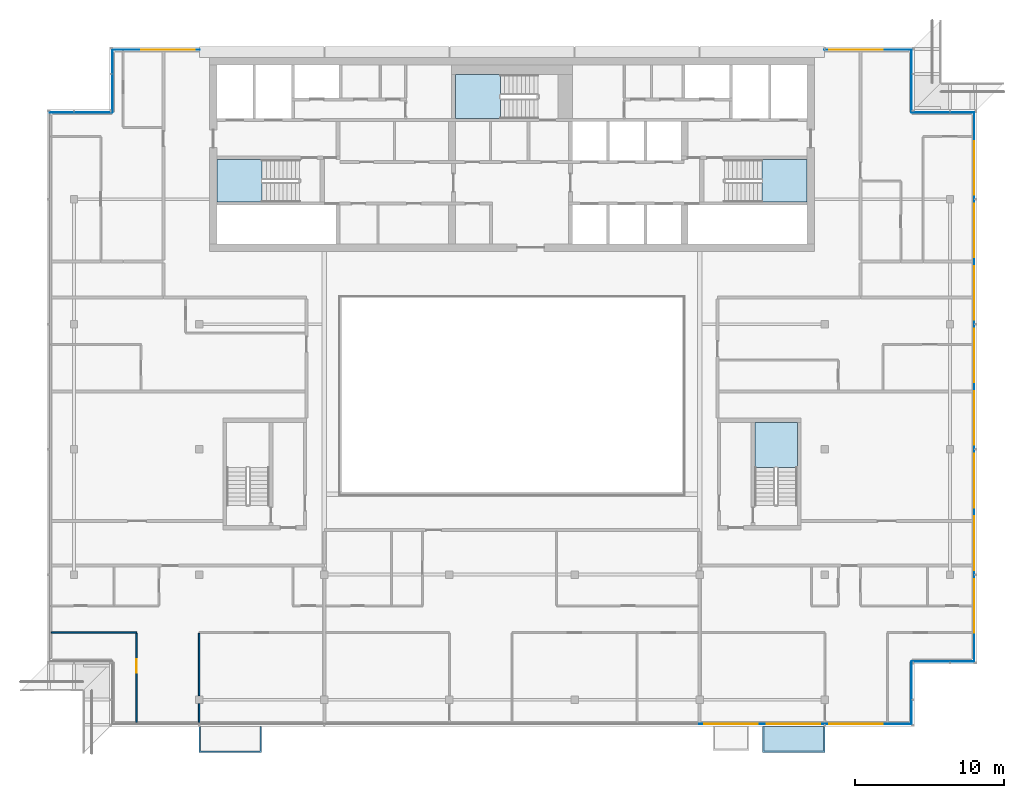
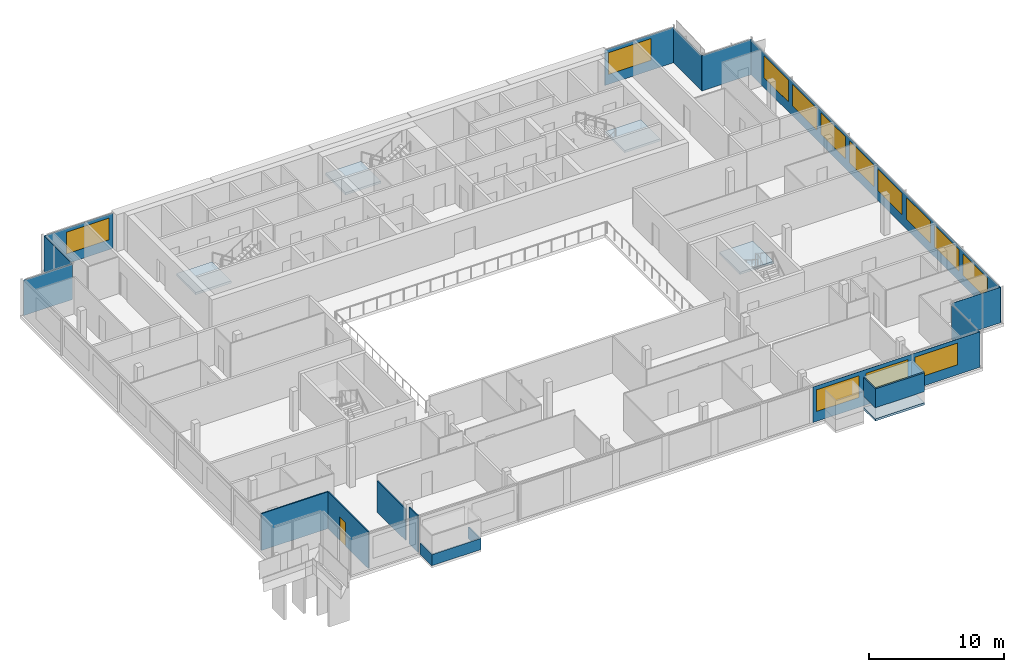
# One storey, part 15 of 24: 13 windows, 12 plates, 5 slabs, 5 walls, 1 door, 14 openings, 13 elements without a shape of their own.
"""IFC4 building model written with IfcOpenShell, lengths in metres."""

from ifc_helpers import new_model, si_unit, direction, frame, frame_2d, origin, place, context, subcontext, project, spatial, polyline, rectangle, outline, extrude, material, layer, layer_set, type_object, element, fill, aggregate, save


model = new_model("IFC4")

# Units and contexts
model_context = context("Model", 3, precision=1e-05, world=origin(), true_north=direction((0.0, 1.0)))
body_context = subcontext(model_context, "Body", "Model", "MODEL_VIEW")
ifc_project = project(units=[si_unit("LENGTHUNIT", "METRE"), si_unit("AREAUNIT", "SQUARE_METRE"), si_unit("VOLUMEUNIT", "CUBIC_METRE"), si_unit("PLANEANGLEUNIT", "RADIAN"), si_unit("MASSUNIT", "GRAM", prefix="KILO")], contexts=[model_context])

# Site, building, storey
site_placement = place(None, origin())
site = spatial("IfcSite", under=ifc_project, at=site_placement, CompositionType="ELEMENT")
building_placement = place(site_placement, origin())
building = spatial("IfcBuilding", under=site, at=building_placement, Name="Saffron Gate Tower", CompositionType="ELEMENT")
storey_placement = place(building_placement, frame((0.0, 0.0, 281.550048828125)))
storey = spatial("IfcBuildingStorey", under=building, at=storey_placement, Name="L68", CompositionType="ELEMENT", Elevation=281.550048828125)

# Curtain wall, plate, openings, windows
ifc_material_1 = material(Name="Aluminium, bronze anodised", Category="aluminium")
curtain_wall_type_1 = type_object("IfcCurtainWallType", Name="CWS1 curtain wall front facade", PredefinedType="NOTDEFINED", material=ifc_material_1)
curtain_wall_1_placement = place(storey_placement, origin())
curtain_wall_1 = element("IfcCurtainWall", 1, at=curtain_wall_1_placement, inside=storey, type_object=curtain_wall_type_1, Name="CWS1 run 1", PredefinedType="NOTDEFINED")
ifc_material_2 = material(Name="Fritted bronze-tinted laminated glass", Category="glass")
ifc_layer_1 = layer(ifc_material_2, 0.028076171875)
ifc_layer_set_1 = layer_set([ifc_layer_1], Name="CWS1 fixed glass")
plate_type_1 = type_object("IfcPlateType", Name="CWS1 fixed glass", PredefinedType="CURTAIN_PANEL", material=ifc_layer_set_1)
plate_1_placement = place(storey_placement, frame((100.169921875, 30.174072265625, 0.0), z_axis=(0.0, 0.0, 1.0), x_axis=(1.0, 0.0, 0.0)))
plate_1 = element("IfcPlate", 2, at=plate_1_placement, type_object=plate_type_1, Name="CWS1 glass panel", PredefinedType="CURTAIN_PANEL", context=body_context, shape_type="SweptSolid", body=[
    extrude(rectangle(XDim=14.2421875, YDim=0.028076171875, at=frame_2d((7.12109375, 0.0))), origin(), (0.0, 0.0, 1.0), 3.199951171875),
])
opening_1_placement = place(plate_1_placement, frame((0.330078125, 0.0, 0.89990234375)))
opening_1 = element("IfcOpeningElement", 3, at=opening_1_placement, cuts=plate_1, Name="Opening W1", PredefinedType="OPENING", context=body_context, shape_type="SweptSolid", body=[
    extrude(rectangle(XDim=3.60009765625, YDim=1.949951171875, at=frame_2d((1.800048828125, 0.97509765625))), frame((0.0, 0.02392578125, 0.0), z_axis=(0.0, -1.0, 0.0), x_axis=(1.0, 0.0, 0.0)), (0.0, 0.0, 1.0), 0.048095703125),
])
opening_2_placement = place(plate_1_placement, frame((4.530029296875, 0.0, 0.89990234375)))
opening_2 = element("IfcOpeningElement", 4, at=opening_2_placement, cuts=plate_1, Name="Opening W1", PredefinedType="OPENING", context=body_context, shape_type="SweptSolid", body=[
    extrude(rectangle(XDim=3.60009765625, YDim=1.949951171875, at=frame_2d((1.800048828125, 0.97509765625))), frame((0.0, 0.02392578125, 0.0), z_axis=(0.0, -1.0, 0.0), x_axis=(1.0, 0.0, 0.0)), (0.0, 0.0, 1.0), 0.048095703125),
])
opening_3_placement = place(plate_1_placement, frame((8.72998046875, 0.0, 0.89990234375)))
opening_3 = element("IfcOpeningElement", 5, at=opening_3_placement, cuts=plate_1, Name="Opening W1", PredefinedType="OPENING", context=body_context, shape_type="SweptSolid", body=[
    extrude(rectangle(XDim=3.60009765625, YDim=1.949951171875, at=frame_2d((1.800048828125, 0.97509765625))), frame((0.0, 0.02392578125, 0.0), z_axis=(0.0, -1.0, 0.0), x_axis=(1.0, 0.0, 0.0)), (0.0, 0.0, 1.0), 0.048095703125),
])
ifc_material_3 = material(Name="Fritted bronze-tinted laminated glass in bronze frame", Category="glass")
ifc_layer_2 = layer(ifc_material_3, 0.06005859375)
ifc_layer_set_2 = layer_set([ifc_layer_2], Name="W1 operable panel 3600x1950")
window_type = type_object("IfcWindowType", Name="W1 operable panel 3600x1950", PartitioningType="DOUBLE_PANEL_HORIZONTAL", PredefinedType="WINDOW", material=ifc_layer_set_2)
window_1_placement = place(opening_1_placement, origin())
window_1 = element("IfcWindow", 6, at=window_1_placement, type_object=window_type, Name="W1 operable panel", OverallHeight=1.949951171875, OverallWidth=3.60009765625, PartitioningType="SINGLE_PANEL", PredefinedType="WINDOW", context=body_context, shape_type="SweptSolid", body=[
    extrude(rectangle(XDim=3.60009765625, YDim=1.949951171875, at=frame_2d((1.800048828125, 0.97509765625))), frame((0.0, 0.013671875, 0.0), z_axis=(0.0, -1.0, 0.0), x_axis=(1.0, 0.0, 0.0)), (0.0, 0.0, 1.0), 0.027587890625),
])
fill(opening_1, window_1)
window_2_placement = place(opening_2_placement, origin())
window_2 = element("IfcWindow", 7, at=window_2_placement, type_object=window_type, Name="W1 operable panel", OverallHeight=1.949951171875, OverallWidth=3.60009765625, PartitioningType="SINGLE_PANEL", PredefinedType="WINDOW", context=body_context, shape_type="SweptSolid", body=[
    extrude(rectangle(XDim=3.60009765625, YDim=1.949951171875, at=frame_2d((1.800048828125, 0.97509765625))), frame((0.0, 0.013671875, 0.0), z_axis=(0.0, -1.0, 0.0), x_axis=(1.0, 0.0, 0.0)), (0.0, 0.0, 1.0), 0.027587890625),
])
fill(opening_2, window_2)
window_3_placement = place(opening_3_placement, origin())
window_3 = element("IfcWindow", 8, at=window_3_placement, type_object=window_type, Name="W1 operable panel", OverallHeight=1.949951171875, OverallWidth=3.60009765625, PartitioningType="SINGLE_PANEL", PredefinedType="WINDOW", context=body_context, shape_type="SweptSolid", body=[
    extrude(rectangle(XDim=3.60009765625, YDim=1.949951171875, at=frame_2d((1.800048828125, 0.97509765625))), frame((0.0, 0.013671875, 0.0), z_axis=(0.0, -1.0, 0.0), x_axis=(1.0, 0.0, 0.0)), (0.0, 0.0, 1.0), 0.027587890625),
])
fill(opening_3, window_3)
aggregate(curtain_wall_1, [plate_1, window_1, window_2, window_3])

curtain_wall_type_2 = type_object("IfcCurtainWallType", Name="CWS2 curtain wall side facades", PredefinedType="NOTDEFINED", material=ifc_material_1)
curtain_wall_2_placement = place(storey_placement, origin())
curtain_wall_2 = element("IfcCurtainWall", 9, at=curtain_wall_2_placement, inside=storey, type_object=curtain_wall_type_2, Name="CWS2 run 4", PredefinedType="NOTDEFINED")
ifc_layer_3 = layer(ifc_material_2, 0.028076171875)
ifc_layer_set_3 = layer_set([ifc_layer_3], Name="CWS2 fixed glass")
plate_type_2 = type_object("IfcPlateType", Name="CWS2 fixed glass", PredefinedType="CURTAIN_PANEL", material=ifc_layer_set_3)
plate_2_placement = place(storey_placement, frame((118.6259765625, 34.387939453125, 0.0), z_axis=(0.0, 0.0, 1.0), x_axis=(0.0, 1.0, 0.0)))
plate_2 = element("IfcPlate", 10, at=plate_2_placement, type_object=plate_type_2, Name="CWS2 glass panel", PredefinedType="CURTAIN_PANEL", context=body_context, shape_type="SweptSolid", body=[
    extrude(rectangle(XDim=36.823974609375, YDim=0.028076171875, at=frame_2d((18.412109375, 0.0))), origin(), (0.0, 0.0, 1.0), 3.199951171875),
])
opening_4_placement = place(plate_2_placement, frame((1.912109375, 0.0, 0.89990234375)))
opening_4 = element("IfcOpeningElement", 11, at=opening_4_placement, cuts=plate_2, Name="Opening W1", PredefinedType="OPENING", context=body_context, shape_type="SweptSolid", body=[
    extrude(rectangle(XDim=3.60009765625, YDim=1.949951171875, at=frame_2d((1.800048828125, 0.97509765625))), frame((0.0, 0.02392578125, 0.0), z_axis=(0.0, -1.0, 0.0), x_axis=(1.0, 0.0, 0.0)), (0.0, 0.0, 1.0), 0.048095703125),
])
opening_5_placement = place(plate_2_placement, frame((6.112060546875, 0.0, 0.89990234375)))
opening_5 = element("IfcOpeningElement", 12, at=opening_5_placement, cuts=plate_2, Name="Opening W1", PredefinedType="OPENING", context=body_context, shape_type="SweptSolid", body=[
    extrude(rectangle(XDim=3.60009765625, YDim=1.949951171875, at=frame_2d((1.800048828125, 0.97509765625))), frame((0.0, 0.02392578125, 0.0), z_axis=(0.0, -1.0, 0.0), x_axis=(1.0, 0.0, 0.0)), (0.0, 0.0, 1.0), 0.048095703125),
])
opening_6_placement = place(plate_2_placement, frame((10.31201171875, 0.0, 0.89990234375)))
opening_6 = element("IfcOpeningElement", 13, at=opening_6_placement, cuts=plate_2, Name="Opening W1", PredefinedType="OPENING", context=body_context, shape_type="SweptSolid", body=[
    extrude(rectangle(XDim=3.60009765625, YDim=1.949951171875, at=frame_2d((1.800048828125, 0.97509765625))), frame((0.0, 0.02392578125, 0.0), z_axis=(0.0, -1.0, 0.0), x_axis=(1.0, 0.0, 0.0)), (0.0, 0.0, 1.0), 0.048095703125),
])
opening_7_placement = place(plate_2_placement, frame((14.511962890625, 0.0, 0.89990234375)))
opening_7 = element("IfcOpeningElement", 14, at=opening_7_placement, cuts=plate_2, Name="Opening W1", PredefinedType="OPENING", context=body_context, shape_type="SweptSolid", body=[
    extrude(rectangle(XDim=3.60009765625, YDim=1.949951171875, at=frame_2d((1.800048828125, 0.97509765625))), frame((0.0, 0.02392578125, 0.0), z_axis=(0.0, -1.0, 0.0), x_axis=(1.0, 0.0, 0.0)), (0.0, 0.0, 1.0), 0.048095703125),
])
opening_8_placement = place(plate_2_placement, frame((18.7119140625, 0.0, 0.89990234375)))
opening_8 = element("IfcOpeningElement", 15, at=opening_8_placement, cuts=plate_2, Name="Opening W1", PredefinedType="OPENING", context=body_context, shape_type="SweptSolid", body=[
    extrude(rectangle(XDim=3.60009765625, YDim=1.949951171875, at=frame_2d((1.800048828125, 0.97509765625))), frame((0.0, 0.02392578125, 0.0), z_axis=(0.0, -1.0, 0.0), x_axis=(1.0, 0.0, 0.0)), (0.0, 0.0, 1.0), 0.048095703125),
])
opening_9_placement = place(plate_2_placement, frame((22.912109375, 0.0, 0.89990234375)))
opening_9 = element("IfcOpeningElement", 16, at=opening_9_placement, cuts=plate_2, Name="Opening W1", PredefinedType="OPENING", context=body_context, shape_type="SweptSolid", body=[
    extrude(rectangle(XDim=3.60009765625, YDim=1.949951171875, at=frame_2d((1.800048828125, 0.97509765625))), frame((0.0, 0.02392578125, 0.0), z_axis=(0.0, -1.0, 0.0), x_axis=(1.0, 0.0, 0.0)), (0.0, 0.0, 1.0), 0.048095703125),
])
opening_10_placement = place(plate_2_placement, frame((27.112060546875, 0.0, 0.89990234375)))
opening_10 = element("IfcOpeningElement", 17, at=opening_10_placement, cuts=plate_2, Name="Opening W1", PredefinedType="OPENING", context=body_context, shape_type="SweptSolid", body=[
    extrude(rectangle(XDim=3.60009765625, YDim=1.949951171875, at=frame_2d((1.800048828125, 0.97509765625))), frame((0.0, 0.02392578125, 0.0), z_axis=(0.0, -1.0, 0.0), x_axis=(1.0, 0.0, 0.0)), (0.0, 0.0, 1.0), 0.048095703125),
])
opening_11_placement = place(plate_2_placement, frame((31.31201171875, 0.0, 0.89990234375)))
opening_11 = element("IfcOpeningElement", 18, at=opening_11_placement, cuts=plate_2, Name="Opening W1", PredefinedType="OPENING", context=body_context, shape_type="SweptSolid", body=[
    extrude(rectangle(XDim=3.60009765625, YDim=1.949951171875, at=frame_2d((1.800048828125, 0.97509765625))), frame((0.0, 0.02392578125, 0.0), z_axis=(0.0, -1.0, 0.0), x_axis=(1.0, 0.0, 0.0)), (0.0, 0.0, 1.0), 0.048095703125),
])
window_4_placement = place(opening_4_placement, origin())
window_4 = element("IfcWindow", 19, at=window_4_placement, type_object=window_type, Name="W1 operable panel", OverallHeight=1.949951171875, OverallWidth=3.60009765625, PartitioningType="SINGLE_PANEL", PredefinedType="WINDOW", context=body_context, shape_type="SweptSolid", body=[
    extrude(rectangle(XDim=3.60009765625, YDim=1.949951171875, at=frame_2d((1.800048828125, 0.97509765625))), frame((0.0, 0.013671875, 0.0), z_axis=(0.0, -1.0, 0.0), x_axis=(1.0, 0.0, 0.0)), (0.0, 0.0, 1.0), 0.027587890625),
])
fill(opening_4, window_4)
window_5_placement = place(opening_5_placement, origin())
window_5 = element("IfcWindow", 20, at=window_5_placement, type_object=window_type, Name="W1 operable panel", OverallHeight=1.949951171875, OverallWidth=3.60009765625, PartitioningType="SINGLE_PANEL", PredefinedType="WINDOW", context=body_context, shape_type="SweptSolid", body=[
    extrude(rectangle(XDim=3.60009765625, YDim=1.949951171875, at=frame_2d((1.800048828125, 0.97509765625))), frame((0.0, 0.013671875, 0.0), z_axis=(0.0, -1.0, 0.0), x_axis=(1.0, 0.0, 0.0)), (0.0, 0.0, 1.0), 0.027587890625),
])
fill(opening_5, window_5)
window_6_placement = place(opening_6_placement, origin())
window_6 = element("IfcWindow", 21, at=window_6_placement, type_object=window_type, Name="W1 operable panel", OverallHeight=1.949951171875, OverallWidth=3.60009765625, PartitioningType="SINGLE_PANEL", PredefinedType="WINDOW", context=body_context, shape_type="SweptSolid", body=[
    extrude(rectangle(XDim=3.60009765625, YDim=1.949951171875, at=frame_2d((1.800048828125, 0.97509765625))), frame((0.0, 0.013671875, 0.0), z_axis=(0.0, -1.0, 0.0), x_axis=(1.0, 0.0, 0.0)), (0.0, 0.0, 1.0), 0.027587890625),
])
fill(opening_6, window_6)
window_7_placement = place(opening_7_placement, origin())
window_7 = element("IfcWindow", 22, at=window_7_placement, type_object=window_type, Name="W1 operable panel", OverallHeight=1.949951171875, OverallWidth=3.60009765625, PartitioningType="SINGLE_PANEL", PredefinedType="WINDOW", context=body_context, shape_type="SweptSolid", body=[
    extrude(rectangle(XDim=3.60009765625, YDim=1.949951171875, at=frame_2d((1.800048828125, 0.97509765625))), frame((0.0, 0.013671875, 0.0), z_axis=(0.0, -1.0, 0.0), x_axis=(1.0, 0.0, 0.0)), (0.0, 0.0, 1.0), 0.027587890625),
])
fill(opening_7, window_7)
window_8_placement = place(opening_8_placement, origin())
window_8 = element("IfcWindow", 23, at=window_8_placement, type_object=window_type, Name="W1 operable panel", OverallHeight=1.949951171875, OverallWidth=3.60009765625, PartitioningType="SINGLE_PANEL", PredefinedType="WINDOW", context=body_context, shape_type="SweptSolid", body=[
    extrude(rectangle(XDim=3.60009765625, YDim=1.949951171875, at=frame_2d((1.800048828125, 0.97509765625))), frame((0.0, 0.013671875, 0.0), z_axis=(0.0, -1.0, 0.0), x_axis=(1.0, 0.0, 0.0)), (0.0, 0.0, 1.0), 0.027587890625),
])
fill(opening_8, window_8)
window_9_placement = place(opening_9_placement, origin())
window_9 = element("IfcWindow", 24, at=window_9_placement, type_object=window_type, Name="W1 operable panel", OverallHeight=1.949951171875, OverallWidth=3.60009765625, PartitioningType="SINGLE_PANEL", PredefinedType="WINDOW", context=body_context, shape_type="SweptSolid", body=[
    extrude(rectangle(XDim=3.60009765625, YDim=1.949951171875, at=frame_2d((1.800048828125, 0.97509765625))), frame((0.0, 0.013671875, 0.0), z_axis=(0.0, -1.0, 0.0), x_axis=(1.0, 0.0, 0.0)), (0.0, 0.0, 1.0), 0.027587890625),
])
fill(opening_9, window_9)
window_10_placement = place(opening_10_placement, origin())
window_10 = element("IfcWindow", 25, at=window_10_placement, type_object=window_type, Name="W1 operable panel", OverallHeight=1.949951171875, OverallWidth=3.60009765625, PartitioningType="SINGLE_PANEL", PredefinedType="WINDOW", context=body_context, shape_type="SweptSolid", body=[
    extrude(rectangle(XDim=3.60009765625, YDim=1.949951171875, at=frame_2d((1.800048828125, 0.97509765625))), frame((0.0, 0.013671875, 0.0), z_axis=(0.0, -1.0, 0.0), x_axis=(1.0, 0.0, 0.0)), (0.0, 0.0, 1.0), 0.027587890625),
])
fill(opening_10, window_10)
window_11_placement = place(opening_11_placement, origin())
window_11 = element("IfcWindow", 26, at=window_11_placement, type_object=window_type, Name="W1 operable panel", OverallHeight=1.949951171875, OverallWidth=3.60009765625, PartitioningType="SINGLE_PANEL", PredefinedType="WINDOW", context=body_context, shape_type="SweptSolid", body=[
    extrude(rectangle(XDim=3.60009765625, YDim=1.949951171875, at=frame_2d((1.800048828125, 0.97509765625))), frame((0.0, 0.013671875, 0.0), z_axis=(0.0, -1.0, 0.0), x_axis=(1.0, 0.0, 0.0)), (0.0, 0.0, 1.0), 0.027587890625),
])
fill(opening_11, window_11)
aggregate(curtain_wall_2, [plate_2, window_4, window_5, window_6, window_7, window_8, window_9, window_10, window_11])

# Curtain wall, plates, openings, windows
curtain_wall_type_3 = type_object("IfcCurtainWallType", Name="CWS3 curtain wall rear facade", PredefinedType="NOTDEFINED", material=ifc_material_1)
curtain_wall_3_placement = place(storey_placement, origin())
curtain_wall_3 = element("IfcCurtainWall", 27, at=curtain_wall_3_placement, inside=storey, type_object=curtain_wall_type_3, Name="CWS3 run 7", PredefinedType="NOTDEFINED")
ifc_material_4 = material(Name="Fritted grey-tinted laminated glass", Category="glass")
ifc_layer_4 = layer(ifc_material_4, 0.028076171875)
ifc_layer_set_4 = layer_set([ifc_layer_4], Name="CWS3 fixed glass")
plate_type_3 = type_object("IfcPlateType", Name="CWS3 fixed glass", PredefinedType="CURTAIN_PANEL", material=ifc_layer_set_4)
plate_3_placement = place(storey_placement, frame((114.412109375, 75.426025390625, 0.0), z_axis=(0.0, 0.0, 1.0), x_axis=(-1.0, 0.0, 0.0)))
plate_3 = element("IfcPlate", 28, at=plate_3_placement, type_object=plate_type_3, Name="CWS3 glass panel", PredefinedType="CURTAIN_PANEL", context=body_context, shape_type="SweptSolid", body=[
    extrude(rectangle(XDim=5.84716796875, YDim=0.028076171875, at=frame_2d((2.923583984375, 0.0))), origin(), (0.0, 0.0, 1.0), 3.199951171875),
])
opening_12_placement = place(plate_3_placement, frame((1.912109375, 0.0, 0.89990234375)))
opening_12 = element("IfcOpeningElement", 29, at=opening_12_placement, cuts=plate_3, Name="Opening W1", PredefinedType="OPENING", context=body_context, shape_type="SweptSolid", body=[
    extrude(rectangle(XDim=3.60009765625, YDim=1.949951171875, at=frame_2d((1.800048828125, 0.97509765625))), frame((0.0, 0.02392578125, 0.0), z_axis=(0.0, -1.0, 0.0), x_axis=(1.0, 0.0, 0.0)), (0.0, 0.0, 1.0), 0.048095703125),
])
window_12_placement = place(opening_12_placement, origin())
window_12 = element("IfcWindow", 30, at=window_12_placement, type_object=window_type, Name="W1 operable panel", OverallHeight=1.949951171875, OverallWidth=3.60009765625, PartitioningType="SINGLE_PANEL", PredefinedType="WINDOW", context=body_context, shape_type="SweptSolid", body=[
    extrude(rectangle(XDim=3.60009765625, YDim=1.949951171875, at=frame_2d((1.800048828125, 0.97509765625))), frame((0.0, 0.013671875, 0.0), z_axis=(0.0, -1.0, 0.0), x_axis=(1.0, 0.0, 0.0)), (0.0, 0.0, 1.0), 0.027587890625),
])
fill(opening_12, window_12)
plate_4_placement = place(storey_placement, frame((66.635009765625, 75.426025390625, 0.0), z_axis=(0.0, 0.0, 1.0), x_axis=(-1.0, 0.0, 0.0)))
plate_4 = element("IfcPlate", 31, at=plate_4_placement, type_object=plate_type_3, Name="CWS3 glass panel", PredefinedType="CURTAIN_PANEL", context=body_context, shape_type="SweptSolid", body=[
    extrude(rectangle(XDim=5.846923828125, YDim=0.028076171875, at=frame_2d((2.92333984375, 0.0))), origin(), (0.0, 0.0, 1.0), 3.199951171875),
])
opening_13_placement = place(plate_4_placement, frame((0.3349609375, 0.0, 0.89990234375)))
opening_13 = element("IfcOpeningElement", 32, at=opening_13_placement, cuts=plate_4, Name="Opening W1", PredefinedType="OPENING", context=body_context, shape_type="SweptSolid", body=[
    extrude(rectangle(XDim=3.60009765625, YDim=1.949951171875, at=frame_2d((1.800048828125, 0.97509765625))), frame((0.0, 0.02392578125, 0.0), z_axis=(0.0, -1.0, 0.0), x_axis=(1.0, 0.0, 0.0)), (0.0, 0.0, 1.0), 0.048095703125),
])
window_13_placement = place(opening_13_placement, origin())
window_13 = element("IfcWindow", 33, at=window_13_placement, type_object=window_type, Name="W1 operable panel", OverallHeight=1.949951171875, OverallWidth=3.60009765625, PartitioningType="SINGLE_PANEL", PredefinedType="WINDOW", context=body_context, shape_type="SweptSolid", body=[
    extrude(rectangle(XDim=3.60009765625, YDim=1.949951171875, at=frame_2d((1.800048828125, 0.97509765625))), frame((0.0, 0.013671875, 0.0), z_axis=(0.0, -1.0, 0.0), x_axis=(1.0, 0.0, 0.0)), (0.0, 0.0, 1.0), 0.027587890625),
])
fill(opening_13, window_13)
aggregate(curtain_wall_3, [plate_3, plate_4, window_12, window_13])

# Curtain wall, plate
curtain_wall_type_4 = type_object("IfcCurtainWallType", Name="CWS4 curtain wall corner returns", PredefinedType="NOTDEFINED", material=ifc_material_1)
curtain_wall_4_placement = place(storey_placement, origin())
curtain_wall_4 = element("IfcCurtainWall", 34, at=curtain_wall_4_placement, inside=storey, type_object=curtain_wall_type_4, Name="CWS4 run 2", PredefinedType="NOTDEFINED")
ifc_layer_5 = layer(ifc_material_2, 0.028076171875)
ifc_layer_set_5 = layer_set([ifc_layer_5], Name="CWS4 fixed glass")
plate_type_4 = type_object("IfcPlateType", Name="CWS4 fixed glass", PredefinedType="CURTAIN_PANEL", material=ifc_layer_set_5)
plate_5_placement = place(storey_placement, frame((114.426025390625, 30.18798828125, 0.0), z_axis=(0.0, 0.0, 1.0), x_axis=(0.0, 1.0, 0.0)))
plate_5 = element("IfcPlate", 35, at=plate_5_placement, type_object=plate_type_4, Name="CWS4 glass panel", PredefinedType="CURTAIN_PANEL", context=body_context, shape_type="SweptSolid", body=[
    extrude(rectangle(XDim=4.172119140625, YDim=0.028076171875, at=frame_2d((2.0859375, 0.0))), origin(), (0.0, 0.0, 1.0), 3.199951171875),
])
aggregate(curtain_wall_4, [plate_5])

curtain_wall_5_placement = place(storey_placement, origin())
curtain_wall_5 = element("IfcCurtainWall", 36, at=curtain_wall_5_placement, inside=storey, type_object=curtain_wall_type_4, Name="CWS4 run 3", PredefinedType="NOTDEFINED")
plate_6_placement = place(storey_placement, frame((114.43994140625, 34.3740234375, 0.0), z_axis=(0.0, 0.0, 1.0), x_axis=(1.0, 0.0, 0.0)))
plate_6 = element("IfcPlate", 37, at=plate_6_placement, type_object=plate_type_4, Name="CWS4 glass panel", PredefinedType="CURTAIN_PANEL", context=body_context, shape_type="SweptSolid", body=[
    extrude(rectangle(XDim=4.172119140625, YDim=0.028076171875, at=frame_2d((2.0859375, 0.0))), origin(), (0.0, 0.0, 1.0), 3.199951171875),
])
aggregate(curtain_wall_5, [plate_6])

curtain_wall_6_placement = place(storey_placement, origin())
curtain_wall_6 = element("IfcCurtainWall", 38, at=curtain_wall_6_placement, inside=storey, type_object=curtain_wall_type_4, Name="CWS4 run 5", PredefinedType="NOTDEFINED")
plate_7_placement = place(storey_placement, frame((118.612060546875, 71.22607421875, 0.0), z_axis=(0.0, 0.0, 1.0), x_axis=(-1.0, 0.0, 0.0)))
plate_7 = element("IfcPlate", 39, at=plate_7_placement, type_object=plate_type_4, Name="CWS4 glass panel", PredefinedType="CURTAIN_PANEL", context=body_context, shape_type="SweptSolid", body=[
    extrude(rectangle(XDim=4.172119140625, YDim=0.028076171875, at=frame_2d((2.0859375, 0.0))), origin(), (0.0, 0.0, 1.0), 3.199951171875),
])
aggregate(curtain_wall_6, [plate_7])

curtain_wall_7_placement = place(storey_placement, origin())
curtain_wall_7 = element("IfcCurtainWall", 40, at=curtain_wall_7_placement, inside=storey, type_object=curtain_wall_type_4, Name="CWS4 run 6", PredefinedType="NOTDEFINED")
plate_8_placement = place(storey_placement, frame((114.426025390625, 71.239990234375, 0.0), z_axis=(0.0, 0.0, 1.0), x_axis=(0.0, 1.0, 0.0)))
plate_8 = element("IfcPlate", 41, at=plate_8_placement, type_object=plate_type_4, Name="CWS4 glass panel", PredefinedType="CURTAIN_PANEL", context=body_context, shape_type="SweptSolid", body=[
    extrude(rectangle(XDim=4.172119140625, YDim=0.028076171875, at=frame_2d((2.0859375, 0.0))), origin(), (0.0, 0.0, 1.0), 3.199951171875),
])
aggregate(curtain_wall_7, [plate_8])

curtain_wall_8_placement = place(storey_placement, origin())
curtain_wall_8 = element("IfcCurtainWall", 42, at=curtain_wall_8_placement, inside=storey, type_object=curtain_wall_type_4, Name="CWS4 run 8", PredefinedType="NOTDEFINED")
plate_9_placement = place(storey_placement, frame((60.77392578125, 75.412109375, 0.0), z_axis=(0.0, 0.0, 1.0), x_axis=(0.0, -1.0, 0.0)))
plate_9 = element("IfcPlate", 43, at=plate_9_placement, type_object=plate_type_4, Name="CWS4 glass panel", PredefinedType="CURTAIN_PANEL", context=body_context, shape_type="SweptSolid", body=[
    extrude(rectangle(XDim=4.172119140625, YDim=0.028076171875, at=frame_2d((2.0859375, 0.0))), origin(), (0.0, 0.0, 1.0), 3.199951171875),
])
aggregate(curtain_wall_8, [plate_9])

curtain_wall_9_placement = place(storey_placement, origin())
curtain_wall_9 = element("IfcCurtainWall", 44, at=curtain_wall_9_placement, inside=storey, type_object=curtain_wall_type_4, Name="CWS4 run 9", PredefinedType="NOTDEFINED")
plate_10_placement = place(storey_placement, frame((60.760009765625, 71.22607421875, 0.0), z_axis=(0.0, 0.0, 1.0), x_axis=(-1.0, 0.0, 0.0)))
plate_10 = element("IfcPlate", 45, at=plate_10_placement, type_object=plate_type_4, Name="CWS4 glass panel", PredefinedType="CURTAIN_PANEL", context=body_context, shape_type="SweptSolid", body=[
    extrude(rectangle(XDim=4.172119140625, YDim=0.028076171875, at=frame_2d((2.0859375, 0.0))), origin(), (0.0, 0.0, 1.0), 3.199951171875),
])
aggregate(curtain_wall_9, [plate_10])

# Stair, slab
ifc_material_5 = material(Name="Concrete C40", Category="concrete")
stair_type = type_object("IfcStairType", Name="ST7 Stair 1350 wide, 20 risers of 180", PredefinedType="HALF_TURN_STAIR", material=ifc_material_5)
stair_1_placement = place(storey_placement, origin())
stair_1 = element("IfcStair", 46, at=stair_1_placement, inside=storey, type_object=stair_type, Name="L68 Exit stair A", PredefinedType="HALF_TURN_STAIR")
ifc_layer_6 = layer(ifc_material_5, 0.199951171875)
ifc_layer_set_6 = layer_set([ifc_layer_6], Name="SL1 Stair landing 200")
slab_type_1 = type_object("IfcSlabType", Name="SL1 Stair landing 200", PredefinedType="LANDING", material=ifc_layer_set_6)
slab_1_placement = place(storey_placement, frame((0.0, 0.0, 1.599853515625)))
slab_1 = element("IfcSlab", 47, at=slab_1_placement, type_object=slab_type_1, Name="ST-A landing 1", PredefinedType="LANDING", context=body_context, shape_type="SweptSolid", body=[
    extrude(outline(polyline([(70.830078125, 68.050048828125), (67.800048828125, 68.050048828125), (67.800048828125, 65.199951171875), (70.830078125, 65.199951171875), (70.830078125, 68.050048828125)])), origin(), (0.0, 0.0, 1.0), 0.2001953125),
])
aggregate(stair_1, [slab_1])

stair_2_placement = place(storey_placement, origin())
stair_2 = element("IfcStair", 48, at=stair_2_placement, inside=storey, type_object=stair_type, Name="L68 Exit stair B", PredefinedType="HALF_TURN_STAIR")
slab_2_placement = place(storey_placement, frame((0.0, 0.0, 1.599853515625)))
slab_2 = element("IfcSlab", 49, at=slab_2_placement, type_object=slab_type_1, Name="ST-B landing 1", PredefinedType="LANDING", context=body_context, shape_type="SweptSolid", body=[
    extrude(outline(polyline([(104.3701171875, 65.199951171875), (107.39990234375, 65.199951171875), (107.39990234375, 68.050048828125), (104.3701171875, 68.050048828125), (104.3701171875, 65.199951171875)])), origin(), (0.0, 0.0, 1.0), 0.2001953125),
])
aggregate(stair_2, [slab_2])

stair_3_placement = place(storey_placement, origin())
stair_3 = element("IfcStair", 50, at=stair_3_placement, inside=storey, type_object=stair_type, Name="L68 Exit stair C", PredefinedType="HALF_TURN_STAIR")
slab_3_placement = place(storey_placement, frame((0.0, 0.0, 1.599853515625)))
slab_3 = element("IfcSlab", 51, at=slab_3_placement, type_object=slab_type_1, Name="ST-C landing 1", PredefinedType="LANDING", context=body_context, shape_type="SweptSolid", body=[
    extrude(outline(polyline([(86.830078125, 73.75), (83.800048828125, 73.75), (83.800048828125, 70.800048828125), (86.830078125, 70.800048828125), (86.830078125, 73.75)])), origin(), (0.0, 0.0, 1.0), 0.2001953125),
])
aggregate(stair_3, [slab_3])

stair_4_placement = place(storey_placement, origin())
stair_4 = element("IfcStair", 52, at=stair_4_placement, inside=storey, type_object=stair_type, Name="L68 Exit stair E", PredefinedType="HALF_TURN_STAIR")
slab_4_placement = place(storey_placement, frame((0.0, 0.0, 1.599853515625)))
slab_4 = element("IfcSlab", 53, at=slab_4_placement, type_object=slab_type_1, Name="ST-E landing 1", PredefinedType="LANDING", context=body_context, shape_type="SweptSolid", body=[
    extrude(outline(polyline([(106.75, 47.3701171875), (106.75, 50.39990234375), (103.89990234375, 50.39990234375), (103.89990234375, 47.3701171875), (106.75, 47.3701171875)])), origin(), (0.0, 0.0, 1.0), 0.2001953125),
])
aggregate(stair_4, [slab_4])

# Slab
ifc_material_6 = material(Name="Timber deck on bronze frame", Category="wood")
ifc_layer_7 = layer(ifc_material_6, 0.199951171875)
ifc_layer_set_7 = layer_set([ifc_layer_7], Name="WB1 box floor")
slab_type_2 = type_object("IfcSlabType", Name="WB1 box floor", PredefinedType="FLOOR", material=ifc_layer_set_7)
slab_5_placement = place(storey_placement, frame((0.0, 0.0, -0.199951171875)))
element("IfcSlab", 54, at=slab_5_placement, inside=storey, type_object=slab_type_2, Name="WINDOW BOX floor", PredefinedType="FLOOR", context=body_context, shape_type="SweptSolid", body=[
    extrude(outline(polyline([(104.39990234375, 30.0), (108.60009765625, 30.0), (108.60009765625, 28.26708984375), (104.39990234375, 28.26708984375), (104.39990234375, 30.0)])), origin(), (0.0, 0.0, 1.0), 0.199951171875),
])

# Plates
ifc_layer_8 = layer(ifc_material_1, 0.1201171875)
ifc_layer_set_8 = layer_set([ifc_layer_8], Name="WB2 box roof")
plate_type_5 = type_object("IfcPlateType", Name="WB2 box roof", PredefinedType="SHEET", material=ifc_layer_set_8)
plate_11_placement = place(storey_placement, frame((0.0, 0.0, 2.699951171875)))
element("IfcPlate", 55, at=plate_11_placement, inside=storey, type_object=plate_type_5, Name="WINDOW BOX roof", PredefinedType="SHEET", context=body_context, shape_type="SweptSolid", body=[
    extrude(outline(polyline([(104.39990234375, 30.0), (108.60009765625, 30.0), (108.60009765625, 28.26708984375), (104.39990234375, 28.26708984375), (104.39990234375, 30.0)])), origin(), (0.0, 0.0, 1.0), 0.1201171875),
])
ifc_material_7 = material(Name="Clear low-iron laminated glass", Category="glass")
ifc_layer_9 = layer(ifc_material_7, 0.10009765625)
ifc_layer_set_9 = layer_set([ifc_layer_9], Name="WB6 box glazing")
plate_type_6 = type_object("IfcPlateType", Name="WB6 box glazing", PredefinedType="SHEET", material=ifc_layer_set_9)
plate_12_placement = place(storey_placement, frame((0.0, 0.0, 1.0)))
element("IfcPlate", 56, at=plate_12_placement, inside=storey, type_object=plate_type_6, Name="WINDOW BOX glazing", PredefinedType="SHEET", context=body_context, shape_type="SweptSolid", body=[
    extrude(outline(polyline([(104.39990234375, 30.0), (104.5, 30.0), (104.5, 28.366943359375), (108.5, 28.366943359375), (108.5, 30.0), (108.60009765625, 30.0), (108.60009765625, 28.26708984375), (104.39990234375, 28.26708984375), (104.39990234375, 30.0)])), origin(), (0.0, 0.0, 1.0), 1.699951171875),
])

# Wall
ifc_material_8 = material(Name="Plasterboard on steel studs", Category="steel")
ifc_layer_10 = layer(ifc_material_8, 0.10009765625)
ifc_layer_set_10 = layer_set([ifc_layer_10], Name="PW1 Partition 100")
wall_type_1 = type_object("IfcWallType", Name="PW1 Partition 100", PredefinedType="PARTITIONING", material=ifc_layer_set_10)
wall_1_placement = place(storey_placement, frame((56.679931640625, 36.300048828125, 0.0), z_axis=(0.0, 0.0, 1.0), x_axis=(1.0, 0.0, 0.0)))
element("IfcWall", 57, at=wall_1_placement, inside=storey, type_object=wall_type_1, Name="Partition E3-1", PredefinedType="PARTITIONING", context=body_context, shape_type="SweptSolid", body=[
    extrude(rectangle(XDim=5.719970703125, YDim=0.10009765625, at=frame_2d((2.85986328125, 0.0))), origin(), (0.0, 0.0, 1.0), 3.320068359375),
])

# Wall, opening, door
wall_2_placement = place(storey_placement, frame((62.39990234375, 30.280029296875, 0.0), z_axis=(0.0, 0.0, 1.0), x_axis=(0.0, 1.0, 0.0)))
wall_2 = element("IfcWall", 58, at=wall_2_placement, inside=storey, type_object=wall_type_1, Name="Partition E3-35", PredefinedType="PARTITIONING", context=body_context, shape_type="SweptSolid", body=[
    extrude(rectangle(XDim=5.969970703125, YDim=0.10009765625, at=frame_2d((2.98486328125, 0.0))), origin(), (0.0, 0.0, 1.0), 3.320068359375),
])
opening_14_placement = place(wall_2_placement, frame((3.338623046875, 0.0, 0.0)))
opening_14 = element("IfcOpeningElement", 59, at=opening_14_placement, cuts=wall_2, Name="Opening E3-8", PredefinedType="OPENING", context=body_context, shape_type="SweptSolid", body=[
    extrude(rectangle(XDim=0.89990234375, YDim=2.10009765625, at=frame_2d((0.449951171875, 1.050048828125))), frame((0.0, 0.06005859375, 0.0), z_axis=(0.0, -1.0, 0.0), x_axis=(1.0, 0.0, 0.0)), (0.0, 0.0, 1.0), 0.1201171875),
])
ifc_material_9 = material(Name="Timber door set", Category="wood")
door_type = type_object("IfcDoorType", Name="RD1 Room door 900x2100", OperationType="NOTDEFINED", PredefinedType="DOOR", material=ifc_material_9)
door_placement = place(opening_14_placement, origin())
door = element("IfcDoor", 60, at=door_placement, inside=storey, type_object=door_type, Name="Door E3-8", OperationType="SINGLE_SWING_RIGHT", OverallHeight=2.10009765625, OverallWidth=0.89990234375, PredefinedType="DOOR", context=body_context, shape_type="SweptSolid", body=[
    extrude(rectangle(XDim=0.89990234375, YDim=2.10009765625, at=frame_2d((0.449951171875, 1.050048828125))), frame((0.0, 0.02490234375, 0.0), z_axis=(0.0, -1.0, 0.0), x_axis=(1.0, 0.0, 0.0)), (0.0, 0.0, 1.0), 0.050048828125),
])
fill(opening_14, door)

# Walls
wall_3_placement = place(storey_placement, frame((66.60009765625, 31.530029296875, 0.0), z_axis=(0.0, 0.0, 1.0), x_axis=(0.0, -1.0, 0.0)))
element("IfcWall", 61, at=wall_3_placement, inside=storey, type_object=wall_type_1, Name="Partition E3-41", PredefinedType="PARTITIONING", context=body_context, shape_type="SweptSolid", body=[
    extrude(rectangle(XDim=1.25, YDim=0.10009765625, at=frame_2d((0.625, 0.0))), origin(), (0.0, 0.0, 1.0), 3.320068359375),
])
wall_4_placement = place(storey_placement, frame((66.60009765625, 36.25, 0.0), z_axis=(0.0, 0.0, 1.0), x_axis=(0.0, -1.0, 0.0)))
element("IfcWall", 62, at=wall_4_placement, inside=storey, type_object=wall_type_1, Name="Partition E3-42", PredefinedType="PARTITIONING", context=body_context, shape_type="SweptSolid", body=[
    extrude(rectangle(XDim=4.179931640625, YDim=0.10009765625, at=frame_2d((2.08984375, 0.0))), origin(), (0.0, 0.0, 1.0), 2.829833984375),
])
ifc_material_10 = material(Name="Rendered insulated panel, white")
ifc_layer_11 = layer(ifc_material_10, 0.10009765625)
ifc_layer_set_11 = layer_set([ifc_layer_11], Name="WB3 box parapet white")
wall_type_2 = type_object("IfcWallType", Name="WB3 box parapet white", PredefinedType="SOLIDWALL", material=ifc_layer_set_11)
wall_5_placement = place(storey_placement, origin())
element("IfcWall", 63, at=wall_5_placement, inside=storey, type_object=wall_type_2, Name="WINDOW BOX parapet", PredefinedType="SOLIDWALL", context=body_context, shape_type="SweptSolid", body=[
    extrude(outline(polyline([(66.60009765625, 30.0), (66.699951171875, 30.0), (66.699951171875, 28.366943359375), (70.699951171875, 28.366943359375), (70.699951171875, 30.0), (70.800048828125, 30.0), (70.800048828125, 28.26708984375), (66.60009765625, 28.26708984375), (66.60009765625, 30.0)])), origin(), (0.0, 0.0, 1.0), 1.0),
])

save(model, "model.ifc")
